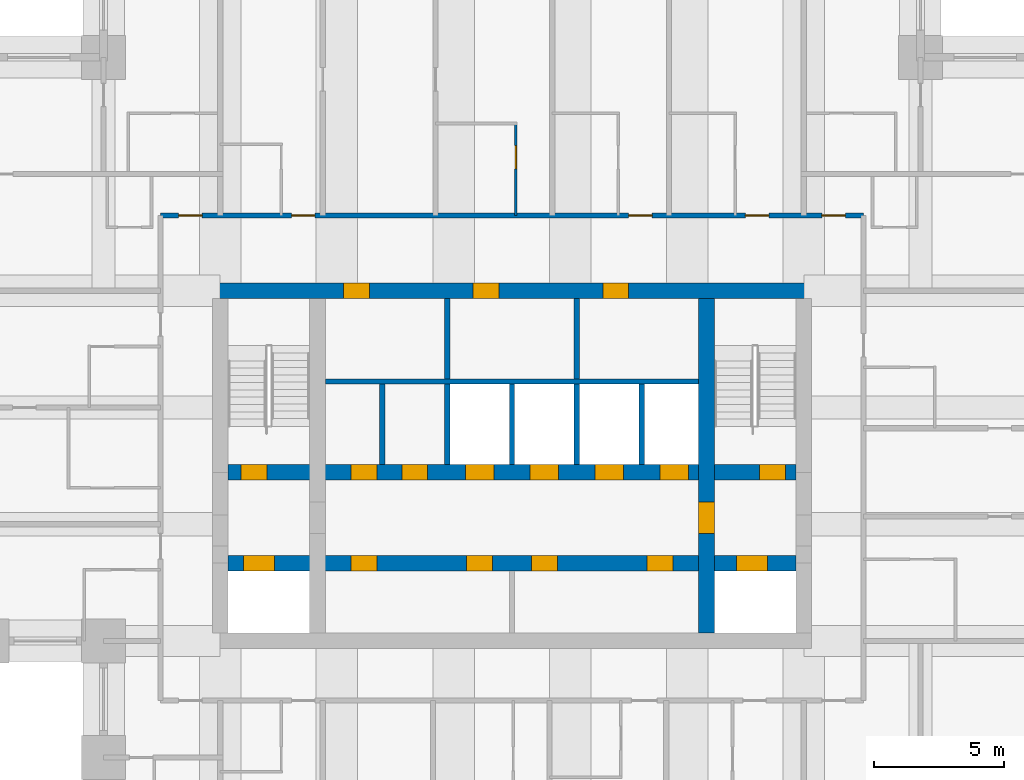
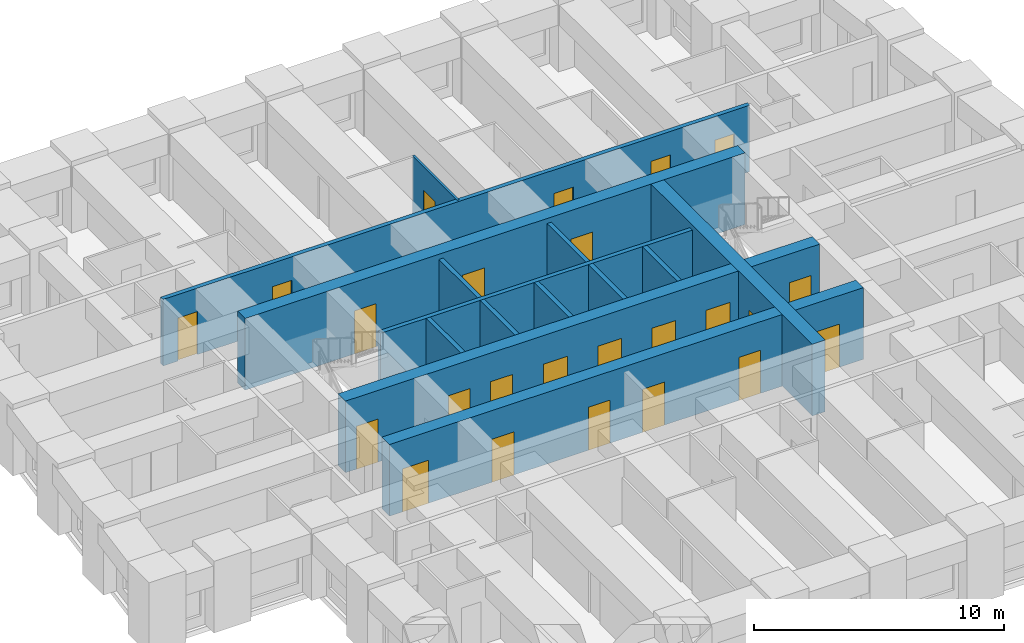
# One storey, part 4 of 8: 24 doors, 14 walls, 24 openings.
"""IFC4 building model written with IfcOpenShell, lengths in metres."""

import ifcopenshell
import ifcopenshell.guid

model = None  # the IFC model being written
_history = None  # IfcOwnerHistory: only IFC2X3 demands one
_inside = {}  # id of a spatial element -> (the spatial element, [elements in it])
_under = {}  # id of a project, library or spatial element -> (it, [spatial elements below it])
_declared = {}  # id of a project -> (the project, [libraries it declares])
_typed = {}  # id of a type object -> (the type object, [elements of that type])
_made_of = {}  # id of a material, layer set ... -> (it, [elements and type objects made of it])


def new_model(schema):
    """Start an empty IFC model of exactly this schema.

    Asked for "IFC4X3", IfcOpenShell would pick the latest addendum, in which some entities
    have other attributes; the version numbers below select the first issue.
    IFC2X3 requires an IfcOwnerHistory on every rooted entity: one is made here for all.
    """
    global model, _history
    if schema == "IFC4X3":
        model = ifcopenshell.file(schema_version=(4, 3, 0, 0))
    else:
        model = ifcopenshell.file(schema=schema)
    _inside.clear()
    _under.clear()
    _declared.clear()
    _typed.clear()
    _made_of.clear()
    _history = None
    if model.schema == "IFC2X3":
        org = make("IfcOrganization", Name="unknown")
        user = make(
            "IfcPersonAndOrganization",
            ThePerson=make("IfcPerson", FamilyName="unknown"),
            TheOrganization=org,
        )
        app = make(
            "IfcApplication",
            ApplicationDeveloper=org,
            Version="unknown",
            ApplicationFullName="unknown",
            ApplicationIdentifier="unknown",
        )
        _history = make(
            "IfcOwnerHistory",
            OwningUser=user,
            OwningApplication=app,
            ChangeAction="ADDED",
            CreationDate=0,
        )
    return model


def make(cls, **values):
    """One entity of the class cls with the attributes given. An attribute that is None is left unset."""
    return model.create_entity(
        cls, **{name: value for name, value in values.items() if value is not None}
    )


def rooted(cls, **values):
    """An entity with a GlobalId (a new one), such as an element, a storey or a relation."""
    return make(cls, GlobalId=ifcopenshell.guid.new(), OwnerHistory=_history, **values)


def si_unit(unit_type, name, prefix=None):
    """IfcSIUnit, for example si_unit("LENGTHUNIT", "METRE", prefix="MILLI")."""
    return make("IfcSIUnit", UnitType=unit_type, Prefix=prefix, Name=name)


def assignment(units):
    """IfcUnitAssignment: the units of a project."""
    return None if units is None else make("IfcUnitAssignment", Units=units)


def point(xyz):
    """IfcCartesianPoint."""
    return None if xyz is None else make("IfcCartesianPoint", Coordinates=xyz)


def direction(xyz):
    """IfcDirection."""
    return None if xyz is None else make("IfcDirection", DirectionRatios=xyz)


def frame(location, z_axis=None, x_axis=None):
    """IfcAxis2Placement3D, a coordinate frame: its origin and axes. An axis left out is left unset."""
    return make(
        "IfcAxis2Placement3D",
        Location=point(location),
        Axis=direction(z_axis),
        RefDirection=direction(x_axis),
    )


def frame_2d(location, x_axis=None):
    """IfcAxis2Placement2D, a coordinate frame in the plane: its origin and x axis."""
    return make(
        "IfcAxis2Placement2D", Location=point(location), RefDirection=direction(x_axis)
    )


def origin():
    """The frame at (0, 0, 0) with its axes left unset."""
    return frame((0.0, 0.0, 0.0))


def place(relative_to, where):
    """IfcLocalPlacement: puts the frame where relative to a parent placement (None: the world)."""
    return make(
        "IfcLocalPlacement", PlacementRelTo=relative_to, RelativePlacement=where
    )


def context(
    kind, dimensions, precision=None, world=None, true_north=None, identifier=None
):
    """IfcGeometricRepresentationContext, for example the 3D "Model" context."""
    return make(
        "IfcGeometricRepresentationContext",
        ContextIdentifier=identifier,
        ContextType=kind,
        CoordinateSpaceDimension=dimensions,
        Precision=precision,
        WorldCoordinateSystem=world,
        TrueNorth=true_north,
    )


def subcontext(parent, identifier, kind, view, scale=None):
    """IfcGeometricRepresentationSubContext, for example "Body" below "Model"."""
    return make(
        "IfcGeometricRepresentationSubContext",
        ContextIdentifier=identifier,
        ContextType=kind,
        ParentContext=parent,
        TargetScale=scale,
        TargetView=view,
    )


def project(units=None, contexts=None):
    """IfcProject with its units and contexts."""
    return rooted(
        "IfcProject",
        Name="project",
        RepresentationContexts=contexts,
        UnitsInContext=assignment(units),
    )


def spatial(cls, under=None, at=None, **own):
    """A site, building, storey or space (cls), placed at a placement, below another one or the project."""
    s = rooted(cls, ObjectPlacement=at, **own)
    if under is not None:
        _under.setdefault(under.id(), (under, []))[1].append(s)
    return s


def profile(cls, at=None, kind="AREA", **sizes):
    """A parametric profile (cls). Its sizes go by their IFC names, for example OverallWidth=200.0."""
    return make(cls, ProfileType=kind, Position=at, **sizes)


def rectangle(**sizes):
    """IfcRectangleProfileDef."""
    return profile("IfcRectangleProfileDef", **sizes)


def extrude(swept, where, along, depth):
    """IfcExtrudedAreaSolid: the profile swept, set in the frame where, extruded along a direction by depth."""
    return make(
        "IfcExtrudedAreaSolid",
        SweptArea=swept,
        Position=where,
        ExtrudedDirection=direction(along),
        Depth=depth,
    )


def shape(context_of_items, identifier, shape_type, items):
    """IfcShapeRepresentation: the items that make up one representation, for example the "Body"."""
    return make(
        "IfcShapeRepresentation",
        ContextOfItems=context_of_items,
        RepresentationIdentifier=identifier,
        RepresentationType=shape_type,
        Items=items,
    )


def material(Name=None, Category=None):
    """IfcMaterial."""
    return make("IfcMaterial", Name=Name, Category=Category)


def layer(
    of_material, thickness, ventilated=None, Name=None, Category=None, Priority=None
):
    """IfcMaterialLayer: one layer of a wall or slab, of a material (None: an air gap)."""
    return make(
        "IfcMaterialLayer",
        Material=of_material,
        LayerThickness=thickness,
        IsVentilated=ventilated,
        Name=Name,
        Category=Category,
        Priority=Priority,
    )


def layer_set(layers, Name=None):
    """IfcMaterialLayerSet."""
    return make("IfcMaterialLayerSet", MaterialLayers=layers, LayerSetName=Name)


def made_of(thing, what):
    """Note that an element or type object is made of a material, layer set ...; save() writes the relation."""
    if what is not None:
        _made_of.setdefault(what.id(), (what, []))[1].append(thing)
    return thing


def type_object(cls, material=None, **own):
    """A type object (cls), such as IfcWallType, which elements share."""
    return made_of(rooted(cls, **own), material)


def element(
    cls,
    number,
    at=None,
    inside=None,
    cuts=None,
    type_object=None,
    material=None,
    context=None,
    identifier="Body",
    shape_type=None,
    held_by="IfcProductDefinitionShape",
    body=None,
    shapes=None,
    **own,
):
    """One element of the class cls, such as IfcWall. Its Tag is "e" and its number.

    at: its placement. inside: the storey or other place that contains it. cuts: it is an
    opening in that element (IfcRelVoidsElement). A single representation is given by context,
    identifier, shape_type and body (its items); several are given by shapes. held_by: the class
    of the entity that holds the representations. save() writes the other relations.
    """
    e = rooted(cls, Tag="e%d" % number, ObjectPlacement=at, **own)
    if body is not None:
        shapes = [shape(context, identifier, shape_type, body)]
    if shapes is not None:
        e.Representation = make(held_by, Representations=shapes)
    if inside is not None:
        _inside.setdefault(inside.id(), (inside, []))[1].append(e)
    if cuts is not None:
        rooted(
            "IfcRelVoidsElement", RelatingBuildingElement=cuts, RelatedOpeningElement=e
        )
    if type_object is not None:
        _typed.setdefault(type_object.id(), (type_object, []))[1].append(e)
    return made_of(e, material)


def fill(opening, filler):
    """IfcRelFillsElement: the door or window that sits in an opening."""
    return rooted(
        "IfcRelFillsElement",
        RelatingOpeningElement=opening,
        RelatedBuildingElement=filler,
    )


def aggregate(whole, parts):
    """IfcRelAggregates: a whole, such as a stair, and the parts it consists of."""
    return rooted("IfcRelAggregates", RelatingObject=whole, RelatedObjects=parts)


def save(model, path):
    """Write the relations noted so far, then the file.

    IfcRelAggregates (storeys below a building ...), IfcRelContainedInSpatialStructure (elements
    in a storey), IfcRelDefinesByType, IfcRelAssociatesMaterial and IfcRelDeclares: one each for
    every whole, place, type object, material and project.
    """
    for whole, parts in _under.values():
        aggregate(whole, parts)
    for where, things in _inside.values():
        rooted(
            "IfcRelContainedInSpatialStructure",
            RelatedElements=things,
            RelatingStructure=where,
        )
    for kind, things in _typed.values():
        rooted("IfcRelDefinesByType", RelatedObjects=things, RelatingType=kind)
    for what, things in _made_of.values():
        rooted("IfcRelAssociatesMaterial", RelatedObjects=things, RelatingMaterial=what)
    for by, libraries in _declared.values():
        rooted("IfcRelDeclares", RelatingContext=by, RelatedDefinitions=libraries)
    model.write(path)


model = new_model("IFC4")

# Units and contexts
model_context = context("Model", 3, precision=1e-05, world=origin(), true_north=direction((0.0, 1.0)))
body_context = subcontext(model_context, "Body", "Model", "MODEL_VIEW")
ifc_project = project(units=[si_unit("LENGTHUNIT", "METRE"), si_unit("AREAUNIT", "SQUARE_METRE"), si_unit("VOLUMEUNIT", "CUBIC_METRE"), si_unit("PLANEANGLEUNIT", "RADIAN"), si_unit("MASSUNIT", "GRAM", prefix="KILO")], contexts=[model_context])

# Site, building, storey
site_placement = place(None, origin())
site = spatial("IfcSite", under=ifc_project, at=site_placement, CompositionType="ELEMENT")
building_placement = place(site_placement, origin())
building = spatial("IfcBuilding", under=site, at=building_placement, Name="Kilele Tower Hotel", CompositionType="ELEMENT")
storey_placement = place(building_placement, frame((0.0, 0.0, 172.89990234375)))
storey = spatial("IfcBuildingStorey", under=building, at=storey_placement, Name="L44", CompositionType="ELEMENT", Elevation=172.89990234375)

# Wall, opening, door
ifc_material_1 = material(Name="Moisture-resistant board")
ifc_layer_1 = layer(ifc_material_1, 0.10009765625)
ifc_layer_set_1 = layer_set([ifc_layer_1], Name="Moisture-resistant board")
wall_type_1 = type_object("IfcWallType", Name="Bathroom partition 100", PredefinedType="PLUMBINGWALL", material=ifc_layer_set_1)
wall_1_placement = place(storey_placement, frame((24.89990234375, 29.89990234375, 0.0), z_axis=(0.0, 0.0, 1.0), x_axis=(0.0, 1.0, 0.0)))
wall_1 = element("IfcWall", 1, at=wall_1_placement, inside=storey, type_object=wall_type_1, Name="Bathroom partition 100 L44", PredefinedType="PLUMBINGWALL", context=body_context, shape_type="SweptSolid", body=[
    extrude(rectangle(XDim=3.60009765625, YDim=0.10009765625, at=frame_2d((1.800048828125, 0.0))), origin(), (0.0, 0.0, 1.0), 3.25),
])
opening_1_placement = place(wall_1_placement, frame((2.699951171875, 0.0, 0.0), z_axis=(0.0, 0.0, 1.0), x_axis=(-1.0, 0.0, 0.0)))
opening_1 = element("IfcOpeningElement", 2, at=opening_1_placement, cuts=wall_1, Name="Opening D2A", PredefinedType="OPENING", context=body_context, shape_type="SweptSolid", body=[
    extrude(rectangle(XDim=0.89990234375, YDim=2.10009765625, at=frame_2d((0.449951171875, 1.050048828125))), frame((0.0, 0.06005859375, 0.0), z_axis=(0.0, -1.0, 0.0), x_axis=(1.0, 0.0, 0.0)), (0.0, 0.0, 1.0), 0.1201171875),
])
ifc_material_2 = material(Name="Timber door leaf in hardwood frame", Category="wood")
door_type_1 = type_object("IfcDoorType", Name="Bathroom door 900", OperationType="SINGLE_SWING_LEFT", PredefinedType="DOOR", material=ifc_material_2)
door_1_placement = place(opening_1_placement, origin())
door_1 = element("IfcDoor", 3, at=door_1_placement, inside=storey, type_object=door_type_1, Name="Bathroom door 4411B", OperationType="SINGLE_SWING_LEFT", OverallHeight=2.10009765625, OverallWidth=0.89990234375, PredefinedType="DOOR", context=body_context, shape_type="SweptSolid", body=[
    extrude(rectangle(XDim=0.89990234375, YDim=2.10009765625, at=frame_2d((0.449951171875, 1.050048828125))), frame((0.0, 0.02490234375, 0.0), z_axis=(0.0, -1.0, 0.0), x_axis=(1.0, 0.0, 0.0)), (0.0, 0.0, 1.0), 0.050048828125),
])
fill(opening_1, door_1)

# Wall, openings, doors
ifc_material_3 = material(Name="Concrete C70/85", Category="concrete")
ifc_layer_2 = layer(ifc_material_3, 0.60009765625)
ifc_layer_set_2 = layer_set([ifc_layer_2], Name="Concrete C70/85")
wall_type_2 = type_object("IfcWallType", Name="Core wall 600 C70/85", PredefinedType="SHEAR", material=ifc_layer_set_2)
wall_2_placement = place(storey_placement, frame((36.300048828125, 27.0, 0.0), z_axis=(0.0, 0.0, 1.0), x_axis=(-1.0, 0.0, 0.0)))
wall_2 = element("IfcWall", 4, at=wall_2_placement, inside=storey, type_object=wall_type_2, Name="Core wall N L44", PredefinedType="SHEAR", context=body_context, shape_type="SweptSolid", body=[
    extrude(rectangle(XDim=23.10009765625, YDim=0.60009765625, at=frame_2d((11.550048828125, 0.0))), origin(), (0.0, 0.0, 1.0), 3.5),
])
opening_2_placement = place(wall_2_placement, frame((17.050048828125, 0.0, 0.0)))
opening_2 = element("IfcOpeningElement", 5, at=opening_2_placement, cuts=wall_2, Name="Opening D6", PredefinedType="OPENING", context=body_context, shape_type="SweptSolid", body=[
    extrude(rectangle(XDim=1.0, YDim=2.10009765625, at=frame_2d((0.5, 1.050048828125))), frame((0.0, 0.31005859375, 0.0), z_axis=(0.0, -1.0, 0.0), x_axis=(1.0, 0.0, 0.0)), (0.0, 0.0, 1.0), 0.6201171875),
])
opening_3_placement = place(wall_2_placement, frame((12.050048828125, 0.0, 0.0)))
opening_3 = element("IfcOpeningElement", 6, at=opening_3_placement, cuts=wall_2, Name="Opening D6", PredefinedType="OPENING", context=body_context, shape_type="SweptSolid", body=[
    extrude(rectangle(XDim=1.0, YDim=2.10009765625, at=frame_2d((0.5, 1.050048828125))), frame((0.0, 0.31005859375, 0.0), z_axis=(0.0, -1.0, 0.0), x_axis=(1.0, 0.0, 0.0)), (0.0, 0.0, 1.0), 0.6201171875),
])
opening_4_placement = place(wall_2_placement, frame((7.050048828125, 0.0, 0.0)))
opening_4 = element("IfcOpeningElement", 7, at=opening_4_placement, cuts=wall_2, Name="Opening D6", PredefinedType="OPENING", context=body_context, shape_type="SweptSolid", body=[
    extrude(rectangle(XDim=1.0, YDim=2.10009765625, at=frame_2d((0.5, 1.050048828125))), frame((0.0, 0.31005859375, 0.0), z_axis=(0.0, -1.0, 0.0), x_axis=(1.0, 0.0, 0.0)), (0.0, 0.0, 1.0), 0.6201171875),
])
ifc_material_4 = material(Name="Timber door leaf in hardwood frame", Category="wood")
door_type_2 = type_object("IfcDoorType", Name="Riser door 1000", OperationType="SINGLE_SWING_LEFT", PredefinedType="DOOR", material=ifc_material_4)
door_2_placement = place(opening_2_placement, origin())
door_2 = element("IfcDoor", 8, at=door_2_placement, inside=storey, type_object=door_type_2, Name="Service riser door L44", OperationType="SINGLE_SWING_RIGHT", OverallHeight=2.10009765625, OverallWidth=1.0, PredefinedType="DOOR", context=body_context, shape_type="SweptSolid", body=[
    extrude(rectangle(XDim=1.0, YDim=2.10009765625, at=frame_2d((0.5, 1.050048828125))), frame((0.0, 0.2998046875, 0.0), z_axis=(0.0, -1.0, 0.0), x_axis=(1.0, 0.0, 0.0)), (0.0, 0.0, 1.0), 0.599609375),
])
fill(opening_2, door_2)
door_3_placement = place(opening_3_placement, origin())
door_3 = element("IfcDoor", 9, at=door_3_placement, inside=storey, type_object=door_type_2, Name="IT and comms room door L44", OperationType="SINGLE_SWING_RIGHT", OverallHeight=2.10009765625, OverallWidth=1.0, PredefinedType="DOOR", context=body_context, shape_type="SweptSolid", body=[
    extrude(rectangle(XDim=1.0, YDim=2.10009765625, at=frame_2d((0.5, 1.050048828125))), frame((0.0, 0.2998046875, 0.0), z_axis=(0.0, -1.0, 0.0), x_axis=(1.0, 0.0, 0.0)), (0.0, 0.0, 1.0), 0.599609375),
])
fill(opening_3, door_3)
door_4_placement = place(opening_4_placement, origin())
door_4 = element("IfcDoor", 10, at=door_4_placement, inside=storey, type_object=door_type_2, Name="Electrical riser door L44", OperationType="SINGLE_SWING_RIGHT", OverallHeight=2.10009765625, OverallWidth=1.0, PredefinedType="DOOR", context=body_context, shape_type="SweptSolid", body=[
    extrude(rectangle(XDim=1.0, YDim=2.10009765625, at=frame_2d((0.5, 1.050048828125))), frame((0.0, 0.2998046875, 0.0), z_axis=(0.0, -1.0, 0.0), x_axis=(1.0, 0.0, 0.0)), (0.0, 0.0, 1.0), 0.599609375),
])
fill(opening_4, door_4)

# Wall, opening, door
wall_3_placement = place(storey_placement, frame((32.25, 13.800048828125, 0.0), z_axis=(0.0, 0.0, 1.0), x_axis=(0.0, 1.0, 0.0)))
wall_3 = element("IfcWall", 11, at=wall_3_placement, inside=storey, type_object=wall_type_2, Name="Core wall IE L44", PredefinedType="SHEAR", context=body_context, shape_type="SweptSolid", body=[
    extrude(rectangle(XDim=12.89990234375, YDim=0.60009765625, at=frame_2d((6.449951171875, 0.0))), origin(), (0.0, 0.0, 1.0), 3.5),
])
opening_5_placement = place(wall_3_placement, frame((5.050048828125, 0.0, 0.0), z_axis=(0.0, 0.0, 1.0), x_axis=(-1.0, 0.0, 0.0)))
opening_5 = element("IfcOpeningElement", 12, at=opening_5_placement, cuts=wall_3, Name="Opening D4", PredefinedType="OPENING", context=body_context, shape_type="SweptSolid", body=[
    extrude(rectangle(XDim=1.199951171875, YDim=2.10009765625, at=frame_2d((0.60009765625, 1.050048828125))), frame((0.0, 0.31005859375, 0.0), z_axis=(0.0, -1.0, 0.0), x_axis=(1.0, 0.0, 0.0)), (0.0, 0.0, 1.0), 0.6201171875),
])
ifc_material_5 = material(Name="Timber door leaf in hardwood frame", Category="wood")
door_type_3 = type_object("IfcDoorType", Name="Firefighting lobby door 1200", OperationType="SINGLE_SWING_LEFT", PredefinedType="DOOR", material=ifc_material_5)
door_5_placement = place(opening_5_placement, origin())
door_5 = element("IfcDoor", 13, at=door_5_placement, inside=storey, type_object=door_type_3, Name="Lobby door L44", OperationType="SINGLE_SWING_RIGHT", OverallHeight=2.10009765625, OverallWidth=1.199951171875, PredefinedType="DOOR", context=body_context, shape_type="SweptSolid", body=[
    extrude(rectangle(XDim=1.199951171875, YDim=2.10009765625, at=frame_2d((0.60009765625, 1.050048828125))), frame((0.0, 0.2998046875, 0.0), z_axis=(0.0, -1.0, 0.0), x_axis=(1.0, 0.0, 0.0)), (0.0, 0.0, 1.0), 0.599609375),
])
fill(opening_5, door_5)

# Wall, openings, doors
wall_4_placement = place(storey_placement, frame((13.800048828125, 16.5, 0.0), z_axis=(0.0, 0.0, 1.0), x_axis=(1.0, 0.0, 0.0)))
wall_4 = element("IfcWall", 14, at=wall_4_placement, inside=storey, type_object=wall_type_2, Name="Core wall LS L44", PredefinedType="SHEAR", context=body_context, shape_type="SweptSolid", body=[
    extrude(rectangle(XDim=21.89990234375, YDim=0.60009765625, at=frame_2d((10.949951171875, 0.0))), origin(), (0.0, 0.0, 1.0), 3.5),
])
opening_6_placement = place(wall_4_placement, frame((5.75, 0.0, 0.0), z_axis=(0.0, 0.0, 1.0), x_axis=(-1.0, 0.0, 0.0)))
opening_6 = element("IfcOpeningElement", 15, at=opening_6_placement, cuts=wall_4, Name="Opening D11", PredefinedType="OPENING", context=body_context, shape_type="SweptSolid", body=[
    extrude(rectangle(XDim=1.0, YDim=2.10009765625, at=frame_2d((0.5, 1.050048828125))), frame((0.0, 0.31005859375, 0.0), z_axis=(0.0, -1.0, 0.0), x_axis=(1.0, 0.0, 0.0)), (0.0, 0.0, 1.0), 0.6201171875),
])
opening_7_placement = place(wall_4_placement, frame((10.199951171875, 0.0, 0.0), z_axis=(0.0, 0.0, 1.0), x_axis=(-1.0, 0.0, 0.0)))
opening_7 = element("IfcOpeningElement", 16, at=opening_7_placement, cuts=wall_4, Name="Opening D11", PredefinedType="OPENING", context=body_context, shape_type="SweptSolid", body=[
    extrude(rectangle(XDim=1.0, YDim=2.10009765625, at=frame_2d((0.5, 1.050048828125))), frame((0.0, 0.31005859375, 0.0), z_axis=(0.0, -1.0, 0.0), x_axis=(1.0, 0.0, 0.0)), (0.0, 0.0, 1.0), 0.6201171875),
])
opening_8_placement = place(wall_4_placement, frame((12.699951171875, 0.0, 0.0), z_axis=(0.0, 0.0, 1.0), x_axis=(-1.0, 0.0, 0.0)))
opening_8 = element("IfcOpeningElement", 17, at=opening_8_placement, cuts=wall_4, Name="Opening D11", PredefinedType="OPENING", context=body_context, shape_type="SweptSolid", body=[
    extrude(rectangle(XDim=1.0, YDim=2.10009765625, at=frame_2d((0.5, 1.050048828125))), frame((0.0, 0.31005859375, 0.0), z_axis=(0.0, -1.0, 0.0), x_axis=(1.0, 0.0, 0.0)), (0.0, 0.0, 1.0), 0.6201171875),
])
opening_9_placement = place(wall_4_placement, frame((17.14990234375, 0.0, 0.0), z_axis=(0.0, 0.0, 1.0), x_axis=(-1.0, 0.0, 0.0)))
opening_9 = element("IfcOpeningElement", 18, at=opening_9_placement, cuts=wall_4, Name="Opening D11", PredefinedType="OPENING", context=body_context, shape_type="SweptSolid", body=[
    extrude(rectangle(XDim=1.0, YDim=2.10009765625, at=frame_2d((0.5, 1.050048828125))), frame((0.0, 0.31005859375, 0.0), z_axis=(0.0, -1.0, 0.0), x_axis=(1.0, 0.0, 0.0)), (0.0, 0.0, 1.0), 0.6201171875),
])
opening_10_placement = place(wall_4_placement, frame((0.60009765625, 0.0, 0.0)))
opening_10 = element("IfcOpeningElement", 19, at=opening_10_placement, cuts=wall_4, Name="Opening LD2", PredefinedType="OPENING", context=body_context, shape_type="SweptSolid", body=[
    extrude(rectangle(XDim=1.199951171875, YDim=2.10009765625, at=frame_2d((0.60009765625, 1.050048828125))), frame((0.0, 0.31005859375, 0.0), z_axis=(0.0, -1.0, 0.0), x_axis=(1.0, 0.0, 0.0)), (0.0, 0.0, 1.0), 0.6201171875),
])
opening_11_placement = place(wall_4_placement, frame((19.60009765625, 0.0, 0.0)))
opening_11 = element("IfcOpeningElement", 20, at=opening_11_placement, cuts=wall_4, Name="Opening LD2", PredefinedType="OPENING", context=body_context, shape_type="SweptSolid", body=[
    extrude(rectangle(XDim=1.199951171875, YDim=2.10009765625, at=frame_2d((0.60009765625, 1.050048828125))), frame((0.0, 0.31005859375, 0.0), z_axis=(0.0, -1.0, 0.0), x_axis=(1.0, 0.0, 0.0)), (0.0, 0.0, 1.0), 0.6201171875),
])
ifc_material_6 = material(Name="Timber door leaf in hardwood frame", Category="wood")
door_type_4 = type_object("IfcDoorType", Name="Core store door 1000", OperationType="SINGLE_SWING_LEFT", PredefinedType="DOOR", material=ifc_material_6)
door_6_placement = place(opening_6_placement, origin())
door_6 = element("IfcDoor", 21, at=door_6_placement, inside=storey, type_object=door_type_4, Name="Core room door L1 L44", OperationType="SINGLE_SWING_RIGHT", OverallHeight=2.10009765625, OverallWidth=1.0, PredefinedType="DOOR", context=body_context, shape_type="SweptSolid", body=[
    extrude(rectangle(XDim=1.0, YDim=2.10009765625, at=frame_2d((0.5, 1.050048828125))), frame((0.0, 0.2998046875, 0.0), z_axis=(0.0, -1.0, 0.0), x_axis=(1.0, 0.0, 0.0)), (0.0, 0.0, 1.0), 0.599609375),
])
fill(opening_6, door_6)
door_7_placement = place(opening_7_placement, origin())
door_7 = element("IfcDoor", 22, at=door_7_placement, inside=storey, type_object=door_type_4, Name="Core room door L3 L44", OperationType="SINGLE_SWING_LEFT", OverallHeight=2.10009765625, OverallWidth=1.0, PredefinedType="DOOR", context=body_context, shape_type="SweptSolid", body=[
    extrude(rectangle(XDim=1.0, YDim=2.10009765625, at=frame_2d((0.5, 1.050048828125))), frame((0.0, 0.2998046875, 0.0), z_axis=(0.0, -1.0, 0.0), x_axis=(1.0, 0.0, 0.0)), (0.0, 0.0, 1.0), 0.599609375),
])
fill(opening_7, door_7)
door_8_placement = place(opening_8_placement, origin())
door_8 = element("IfcDoor", 23, at=door_8_placement, inside=storey, type_object=door_type_4, Name="Core room door M1 L44", OperationType="SINGLE_SWING_RIGHT", OverallHeight=2.10009765625, OverallWidth=1.0, PredefinedType="DOOR", context=body_context, shape_type="SweptSolid", body=[
    extrude(rectangle(XDim=1.0, YDim=2.10009765625, at=frame_2d((0.5, 1.050048828125))), frame((0.0, 0.2998046875, 0.0), z_axis=(0.0, -1.0, 0.0), x_axis=(1.0, 0.0, 0.0)), (0.0, 0.0, 1.0), 0.599609375),
])
fill(opening_8, door_8)
door_9_placement = place(opening_9_placement, origin())
door_9 = element("IfcDoor", 24, at=door_9_placement, inside=storey, type_object=door_type_4, Name="Core room door M3 L44", OperationType="SINGLE_SWING_LEFT", OverallHeight=2.10009765625, OverallWidth=1.0, PredefinedType="DOOR", context=body_context, shape_type="SweptSolid", body=[
    extrude(rectangle(XDim=1.0, YDim=2.10009765625, at=frame_2d((0.5, 1.050048828125))), frame((0.0, 0.2998046875, 0.0), z_axis=(0.0, -1.0, 0.0), x_axis=(1.0, 0.0, 0.0)), (0.0, 0.0, 1.0), 0.599609375),
])
fill(opening_9, door_9)
ifc_material_7 = material(Name="Steel lift landing door", Category="steel")
door_type_5 = type_object("IfcDoorType", Name="Firefighting lift landing door 1200", OperationType="SLIDING_TO_LEFT", PredefinedType="DOOR", material=ifc_material_7)
door_10_placement = place(opening_10_placement, origin())
door_10 = element("IfcDoor", 25, at=door_10_placement, inside=storey, type_object=door_type_5, Name="Landing door FFW L44", OperationType="SLIDING_TO_LEFT", OverallHeight=2.10009765625, OverallWidth=1.199951171875, PredefinedType="DOOR", context=body_context, shape_type="SweptSolid", body=[
    extrude(rectangle(XDim=1.199951171875, YDim=2.10009765625, at=frame_2d((0.60009765625, 1.050048828125))), frame((0.0, 0.2998046875, 0.0), z_axis=(0.0, -1.0, 0.0), x_axis=(1.0, 0.0, 0.0)), (0.0, 0.0, 1.0), 0.599609375),
])
fill(opening_10, door_10)
door_11_placement = place(opening_11_placement, origin())
door_11 = element("IfcDoor", 26, at=door_11_placement, inside=storey, type_object=door_type_5, Name="Landing door FFE L44", OperationType="SLIDING_TO_LEFT", OverallHeight=2.10009765625, OverallWidth=1.199951171875, PredefinedType="DOOR", context=body_context, shape_type="SweptSolid", body=[
    extrude(rectangle(XDim=1.199951171875, YDim=2.10009765625, at=frame_2d((0.60009765625, 1.050048828125))), frame((0.0, 0.2998046875, 0.0), z_axis=(0.0, -1.0, 0.0), x_axis=(1.0, 0.0, 0.0)), (0.0, 0.0, 1.0), 0.599609375),
])
fill(opening_11, door_11)

wall_5_placement = place(storey_placement, frame((13.800048828125, 20.0, 0.0), z_axis=(0.0, 0.0, 1.0), x_axis=(1.0, 0.0, 0.0)))
wall_5 = element("IfcWall", 27, at=wall_5_placement, inside=storey, type_object=wall_type_2, Name="Core wall LN L44", PredefinedType="SHEAR", context=body_context, shape_type="SweptSolid", body=[
    extrude(rectangle(XDim=21.89990234375, YDim=0.60009765625, at=frame_2d((10.949951171875, 0.0))), origin(), (0.0, 0.0, 1.0), 3.5),
])
opening_12_placement = place(wall_5_placement, frame((0.5, 0.0, 0.0)))
opening_12 = element("IfcOpeningElement", 28, at=opening_12_placement, cuts=wall_5, Name="Opening D5", PredefinedType="OPENING", context=body_context, shape_type="SweptSolid", body=[
    extrude(rectangle(XDim=1.0, YDim=2.10009765625, at=frame_2d((0.5, 1.050048828125))), frame((0.0, 0.31005859375, 0.0), z_axis=(0.0, -1.0, 0.0), x_axis=(1.0, 0.0, 0.0)), (0.0, 0.0, 1.0), 0.6201171875),
])
opening_13_placement = place(wall_5_placement, frame((20.5, 0.0, 0.0)))
opening_13 = element("IfcOpeningElement", 29, at=opening_13_placement, cuts=wall_5, Name="Opening D5", PredefinedType="OPENING", context=body_context, shape_type="SweptSolid", body=[
    extrude(rectangle(XDim=1.0, YDim=2.10009765625, at=frame_2d((0.5, 1.050048828125))), frame((0.0, 0.31005859375, 0.0), z_axis=(0.0, -1.0, 0.0), x_axis=(1.0, 0.0, 0.0)), (0.0, 0.0, 1.0), 0.6201171875),
])
opening_14_placement = place(wall_5_placement, frame((9.14990234375, 0.0, 0.0)))
opening_14 = element("IfcOpeningElement", 30, at=opening_14_placement, cuts=wall_5, Name="Opening LD1", PredefinedType="OPENING", context=body_context, shape_type="SweptSolid", body=[
    extrude(rectangle(XDim=1.10009765625, YDim=2.10009765625, at=frame_2d((0.550048828125, 1.050048828125))), frame((0.0, 0.31005859375, 0.0), z_axis=(0.0, -1.0, 0.0), x_axis=(1.0, 0.0, 0.0)), (0.0, 0.0, 1.0), 0.6201171875),
])
opening_15_placement = place(wall_5_placement, frame((11.64990234375, 0.0, 0.0)))
opening_15 = element("IfcOpeningElement", 31, at=opening_15_placement, cuts=wall_5, Name="Opening LD1", PredefinedType="OPENING", context=body_context, shape_type="SweptSolid", body=[
    extrude(rectangle(XDim=1.10009765625, YDim=2.10009765625, at=frame_2d((0.550048828125, 1.050048828125))), frame((0.0, 0.31005859375, 0.0), z_axis=(0.0, -1.0, 0.0), x_axis=(1.0, 0.0, 0.0)), (0.0, 0.0, 1.0), 0.6201171875),
])
opening_16_placement = place(wall_5_placement, frame((14.14990234375, 0.0, 0.0)))
opening_16 = element("IfcOpeningElement", 32, at=opening_16_placement, cuts=wall_5, Name="Opening LD1", PredefinedType="OPENING", context=body_context, shape_type="SweptSolid", body=[
    extrude(rectangle(XDim=1.10009765625, YDim=2.10009765625, at=frame_2d((0.550048828125, 1.050048828125))), frame((0.0, 0.31005859375, 0.0), z_axis=(0.0, -1.0, 0.0), x_axis=(1.0, 0.0, 0.0)), (0.0, 0.0, 1.0), 0.6201171875),
])
opening_17_placement = place(wall_5_placement, frame((16.64990234375, 0.0, 0.0)))
opening_17 = element("IfcOpeningElement", 33, at=opening_17_placement, cuts=wall_5, Name="Opening LD1", PredefinedType="OPENING", context=body_context, shape_type="SweptSolid", body=[
    extrude(rectangle(XDim=1.10009765625, YDim=2.10009765625, at=frame_2d((0.550048828125, 1.050048828125))), frame((0.0, 0.31005859375, 0.0), z_axis=(0.0, -1.0, 0.0), x_axis=(1.0, 0.0, 0.0)), (0.0, 0.0, 1.0), 0.6201171875),
])
opening_18_placement = place(wall_5_placement, frame((4.75, 0.0, 0.0)))
opening_18 = element("IfcOpeningElement", 34, at=opening_18_placement, cuts=wall_5, Name="Opening D11", PredefinedType="OPENING", context=body_context, shape_type="SweptSolid", body=[
    extrude(rectangle(XDim=1.0, YDim=2.10009765625, at=frame_2d((0.5, 1.050048828125))), frame((0.0, 0.31005859375, 0.0), z_axis=(0.0, -1.0, 0.0), x_axis=(1.0, 0.0, 0.0)), (0.0, 0.0, 1.0), 0.6201171875),
])
opening_19_placement = place(wall_5_placement, frame((6.699951171875, 0.0, 0.0)))
opening_19 = element("IfcOpeningElement", 35, at=opening_19_placement, cuts=wall_5, Name="Opening D11", PredefinedType="OPENING", context=body_context, shape_type="SweptSolid", body=[
    extrude(rectangle(XDim=1.0, YDim=2.10009765625, at=frame_2d((0.5, 1.050048828125))), frame((0.0, 0.31005859375, 0.0), z_axis=(0.0, -1.0, 0.0), x_axis=(1.0, 0.0, 0.0)), (0.0, 0.0, 1.0), 0.6201171875),
])
door_12_placement = place(opening_18_placement, origin())
door_12 = element("IfcDoor", 36, at=door_12_placement, inside=storey, type_object=door_type_4, Name="Core room door S1 L44", OperationType="SINGLE_SWING_RIGHT", OverallHeight=2.10009765625, OverallWidth=1.0, PredefinedType="DOOR", context=body_context, shape_type="SweptSolid", body=[
    extrude(rectangle(XDim=1.0, YDim=2.10009765625, at=frame_2d((0.5, 1.050048828125))), frame((0.0, 0.2998046875, 0.0), z_axis=(0.0, -1.0, 0.0), x_axis=(1.0, 0.0, 0.0)), (0.0, 0.0, 1.0), 0.599609375),
])
fill(opening_18, door_12)
door_13_placement = place(opening_19_placement, origin())
door_13 = element("IfcDoor", 37, at=door_13_placement, inside=storey, type_object=door_type_4, Name="Core room door S2 L44", OperationType="SINGLE_SWING_LEFT", OverallHeight=2.10009765625, OverallWidth=1.0, PredefinedType="DOOR", context=body_context, shape_type="SweptSolid", body=[
    extrude(rectangle(XDim=1.0, YDim=2.10009765625, at=frame_2d((0.5, 1.050048828125))), frame((0.0, 0.2998046875, 0.0), z_axis=(0.0, -1.0, 0.0), x_axis=(1.0, 0.0, 0.0)), (0.0, 0.0, 1.0), 0.599609375),
])
fill(opening_19, door_13)
ifc_material_8 = material(Name="Steel lift landing door", Category="steel")
door_type_6 = type_object("IfcDoorType", Name="Lift landing door 1100", OperationType="SLIDING_TO_LEFT", PredefinedType="DOOR", material=ifc_material_8)
door_14_placement = place(opening_14_placement, origin())
door_14 = element("IfcDoor", 38, at=door_14_placement, inside=storey, type_object=door_type_6, Name="Landing door H1 L44", OperationType="SLIDING_TO_LEFT", OverallHeight=2.10009765625, OverallWidth=1.10009765625, PredefinedType="DOOR", context=body_context, shape_type="SweptSolid", body=[
    extrude(rectangle(XDim=1.10009765625, YDim=2.10009765625, at=frame_2d((0.550048828125, 1.050048828125))), frame((0.0, 0.2998046875, 0.0), z_axis=(0.0, -1.0, 0.0), x_axis=(1.0, 0.0, 0.0)), (0.0, 0.0, 1.0), 0.599609375),
])
fill(opening_14, door_14)
door_15_placement = place(opening_15_placement, origin())
door_15 = element("IfcDoor", 39, at=door_15_placement, inside=storey, type_object=door_type_6, Name="Landing door H2 L44", OperationType="SLIDING_TO_LEFT", OverallHeight=2.10009765625, OverallWidth=1.10009765625, PredefinedType="DOOR", context=body_context, shape_type="SweptSolid", body=[
    extrude(rectangle(XDim=1.10009765625, YDim=2.10009765625, at=frame_2d((0.550048828125, 1.050048828125))), frame((0.0, 0.2998046875, 0.0), z_axis=(0.0, -1.0, 0.0), x_axis=(1.0, 0.0, 0.0)), (0.0, 0.0, 1.0), 0.599609375),
])
fill(opening_15, door_15)
door_16_placement = place(opening_16_placement, origin())
door_16 = element("IfcDoor", 40, at=door_16_placement, inside=storey, type_object=door_type_6, Name="Landing door H3 L44", OperationType="SLIDING_TO_LEFT", OverallHeight=2.10009765625, OverallWidth=1.10009765625, PredefinedType="DOOR", context=body_context, shape_type="SweptSolid", body=[
    extrude(rectangle(XDim=1.10009765625, YDim=2.10009765625, at=frame_2d((0.550048828125, 1.050048828125))), frame((0.0, 0.2998046875, 0.0), z_axis=(0.0, -1.0, 0.0), x_axis=(1.0, 0.0, 0.0)), (0.0, 0.0, 1.0), 0.599609375),
])
fill(opening_16, door_16)
door_17_placement = place(opening_17_placement, origin())
door_17 = element("IfcDoor", 41, at=door_17_placement, inside=storey, type_object=door_type_6, Name="Landing door G1 L44", OperationType="SLIDING_TO_LEFT", OverallHeight=2.10009765625, OverallWidth=1.10009765625, PredefinedType="DOOR", context=body_context, shape_type="SweptSolid", body=[
    extrude(rectangle(XDim=1.10009765625, YDim=2.10009765625, at=frame_2d((0.550048828125, 1.050048828125))), frame((0.0, 0.2998046875, 0.0), z_axis=(0.0, -1.0, 0.0), x_axis=(1.0, 0.0, 0.0)), (0.0, 0.0, 1.0), 0.599609375),
])
fill(opening_17, door_17)
ifc_material_9 = material(Name="Timber door leaf in hardwood frame", Category="wood")
door_type_7 = type_object("IfcDoorType", Name="Stair door 1000", OperationType="SINGLE_SWING_LEFT", PredefinedType="DOOR", material=ifc_material_9)
door_18_placement = place(opening_12_placement, origin())
door_18 = element("IfcDoor", 42, at=door_18_placement, inside=storey, type_object=door_type_7, Name="Stair 1 door L44", OperationType="SINGLE_SWING_LEFT", OverallHeight=2.10009765625, OverallWidth=1.0, PredefinedType="DOOR", context=body_context, shape_type="SweptSolid", body=[
    extrude(rectangle(XDim=1.0, YDim=2.10009765625, at=frame_2d((0.5, 1.050048828125))), frame((0.0, 0.2998046875, 0.0), z_axis=(0.0, -1.0, 0.0), x_axis=(1.0, 0.0, 0.0)), (0.0, 0.0, 1.0), 0.599609375),
])
fill(opening_12, door_18)
door_19_placement = place(opening_13_placement, origin())
door_19 = element("IfcDoor", 43, at=door_19_placement, inside=storey, type_object=door_type_7, Name="Stair 2 door L44", OperationType="SINGLE_SWING_RIGHT", OverallHeight=2.10009765625, OverallWidth=1.0, PredefinedType="DOOR", context=body_context, shape_type="SweptSolid", body=[
    extrude(rectangle(XDim=1.0, YDim=2.10009765625, at=frame_2d((0.5, 1.050048828125))), frame((0.0, 0.2998046875, 0.0), z_axis=(0.0, -1.0, 0.0), x_axis=(1.0, 0.0, 0.0)), (0.0, 0.0, 1.0), 0.599609375),
])
fill(opening_13, door_19)

ifc_material_10 = material(Name="Blockwork, plastered both sides", Category="masonry")
ifc_layer_3 = layer(ifc_material_10, 0.199951171875)
ifc_layer_set_3 = layer_set([ifc_layer_3], Name="Blockwork, plastered both sides")
wall_type_3 = type_object("IfcWallType", Name="Corridor wall 200", PredefinedType="PARTITIONING", material=ifc_layer_set_3)
wall_6_placement = place(storey_placement, frame((11.199951171875, 29.89990234375, 0.0), z_axis=(0.0, 0.0, 1.0), x_axis=(1.0, 0.0, 0.0)))
wall_6 = element("IfcWall", 44, at=wall_6_placement, inside=storey, type_object=wall_type_3, Name="Corridor wall 200 L44", PredefinedType="PARTITIONING", context=body_context, shape_type="SweptSolid", body=[
    extrude(rectangle(XDim=27.10009765625, YDim=0.199951171875, at=frame_2d((13.550048828125, 0.0))), origin(), (0.0, 0.0, 1.0), 3.25),
])
opening_20_placement = place(wall_6_placement, frame((5.050048828125, 0.0, 0.0)))
opening_20 = element("IfcOpeningElement", 45, at=opening_20_placement, cuts=wall_6, Name="Opening D1", PredefinedType="OPENING", context=body_context, shape_type="SweptSolid", body=[
    extrude(rectangle(XDim=0.89990234375, YDim=2.10009765625, at=frame_2d((0.449951171875, 1.050048828125))), frame((0.0, 0.10986328125, 0.0), z_axis=(0.0, -1.0, 0.0), x_axis=(1.0, 0.0, 0.0)), (0.0, 0.0, 1.0), 0.219970703125),
])
opening_21_placement = place(wall_6_placement, frame((18.050048828125, 0.0, 0.0)))
opening_21 = element("IfcOpeningElement", 46, at=opening_21_placement, cuts=wall_6, Name="Opening D1", PredefinedType="OPENING", context=body_context, shape_type="SweptSolid", body=[
    extrude(rectangle(XDim=0.89990234375, YDim=2.10009765625, at=frame_2d((0.449951171875, 1.050048828125))), frame((0.0, 0.10986328125, 0.0), z_axis=(0.0, -1.0, 0.0), x_axis=(1.0, 0.0, 0.0)), (0.0, 0.0, 1.0), 0.219970703125),
])
opening_22_placement = place(wall_6_placement, frame((22.550048828125, 0.0, 0.0)))
opening_22 = element("IfcOpeningElement", 47, at=opening_22_placement, cuts=wall_6, Name="Opening D1", PredefinedType="OPENING", context=body_context, shape_type="SweptSolid", body=[
    extrude(rectangle(XDim=0.89990234375, YDim=2.10009765625, at=frame_2d((0.449951171875, 1.050048828125))), frame((0.0, 0.10986328125, 0.0), z_axis=(0.0, -1.0, 0.0), x_axis=(1.0, 0.0, 0.0)), (0.0, 0.0, 1.0), 0.219970703125),
])
opening_23_placement = place(wall_6_placement, frame((25.5, 0.0, 0.0)))
opening_23 = element("IfcOpeningElement", 48, at=opening_23_placement, cuts=wall_6, Name="Opening D1", PredefinedType="OPENING", context=body_context, shape_type="SweptSolid", body=[
    extrude(rectangle(XDim=0.89990234375, YDim=2.10009765625, at=frame_2d((0.449951171875, 1.050048828125))), frame((0.0, 0.10986328125, 0.0), z_axis=(0.0, -1.0, 0.0), x_axis=(1.0, 0.0, 0.0)), (0.0, 0.0, 1.0), 0.219970703125),
])
opening_24_placement = place(wall_6_placement, frame((0.699951171875, 0.0, 0.0)))
opening_24 = element("IfcOpeningElement", 49, at=opening_24_placement, cuts=wall_6, Name="Opening D1", PredefinedType="OPENING", context=body_context, shape_type="SweptSolid", body=[
    extrude(rectangle(XDim=0.89990234375, YDim=2.10009765625, at=frame_2d((0.449951171875, 1.050048828125))), frame((0.0, 0.10986328125, 0.0), z_axis=(0.0, -1.0, 0.0), x_axis=(1.0, 0.0, 0.0)), (0.0, 0.0, 1.0), 0.219970703125),
])
ifc_material_11 = material(Name="Timber door leaf in hardwood frame", Category="wood")
door_type_8 = type_object("IfcDoorType", Name="Guest room entrance door 900", OperationType="SINGLE_SWING_LEFT", PredefinedType="DOOR", material=ifc_material_11)
door_20_placement = place(opening_20_placement, origin())
door_20 = element("IfcDoor", 50, at=door_20_placement, inside=storey, type_object=door_type_8, Name="Room entrance 4409", OperationType="SINGLE_SWING_RIGHT", OverallHeight=2.10009765625, OverallWidth=0.89990234375, PredefinedType="DOOR", context=body_context, shape_type="SweptSolid", body=[
    extrude(rectangle(XDim=0.89990234375, YDim=2.10009765625, at=frame_2d((0.449951171875, 1.050048828125))), frame((0.0, 0.02490234375, 0.0), z_axis=(0.0, -1.0, 0.0), x_axis=(1.0, 0.0, 0.0)), (0.0, 0.0, 1.0), 0.050048828125),
])
fill(opening_20, door_20)
door_21_placement = place(opening_21_placement, origin())
door_21 = element("IfcDoor", 51, at=door_21_placement, inside=storey, type_object=door_type_8, Name="Room entrance 4412", OperationType="SINGLE_SWING_LEFT", OverallHeight=2.10009765625, OverallWidth=0.89990234375, PredefinedType="DOOR", context=body_context, shape_type="SweptSolid", body=[
    extrude(rectangle(XDim=0.89990234375, YDim=2.10009765625, at=frame_2d((0.449951171875, 1.050048828125))), frame((0.0, 0.02490234375, 0.0), z_axis=(0.0, -1.0, 0.0), x_axis=(1.0, 0.0, 0.0)), (0.0, 0.0, 1.0), 0.050048828125),
])
fill(opening_21, door_21)
door_22_placement = place(opening_22_placement, origin())
door_22 = element("IfcDoor", 52, at=door_22_placement, inside=storey, type_object=door_type_8, Name="Room entrance 4413", OperationType="SINGLE_SWING_LEFT", OverallHeight=2.10009765625, OverallWidth=0.89990234375, PredefinedType="DOOR", context=body_context, shape_type="SweptSolid", body=[
    extrude(rectangle(XDim=0.89990234375, YDim=2.10009765625, at=frame_2d((0.449951171875, 1.050048828125))), frame((0.0, 0.02490234375, 0.0), z_axis=(0.0, -1.0, 0.0), x_axis=(1.0, 0.0, 0.0)), (0.0, 0.0, 1.0), 0.050048828125),
])
fill(opening_22, door_22)
door_23_placement = place(opening_23_placement, origin())
door_23 = element("IfcDoor", 53, at=door_23_placement, inside=storey, type_object=door_type_8, Name="Room entrance 4422", OperationType="SINGLE_SWING_LEFT", OverallHeight=2.10009765625, OverallWidth=0.89990234375, PredefinedType="DOOR", context=body_context, shape_type="SweptSolid", body=[
    extrude(rectangle(XDim=0.89990234375, YDim=2.10009765625, at=frame_2d((0.449951171875, 1.050048828125))), frame((0.0, 0.02490234375, 0.0), z_axis=(0.0, -1.0, 0.0), x_axis=(1.0, 0.0, 0.0)), (0.0, 0.0, 1.0), 0.050048828125),
])
fill(opening_23, door_23)
door_24_placement = place(opening_24_placement, origin())
door_24 = element("IfcDoor", 54, at=door_24_placement, inside=storey, type_object=door_type_8, Name="Room entrance 4425", OperationType="SINGLE_SWING_RIGHT", OverallHeight=2.10009765625, OverallWidth=0.89990234375, PredefinedType="DOOR", context=body_context, shape_type="SweptSolid", body=[
    extrude(rectangle(XDim=0.89990234375, YDim=2.10009765625, at=frame_2d((0.449951171875, 1.050048828125))), frame((0.0, 0.02490234375, 0.0), z_axis=(0.0, -1.0, 0.0), x_axis=(1.0, 0.0, 0.0)), (0.0, 0.0, 1.0), 0.050048828125),
])
fill(opening_24, door_24)

# Walls
ifc_material_12 = material(Name="Blockwork, fire-rated", Category="masonry")
ifc_layer_4 = layer(ifc_material_12, 0.199951171875)
ifc_layer_set_4 = layer_set([ifc_layer_4], Name="Blockwork, fire-rated")
wall_type_4 = type_object("IfcWallType", Name="Shaft wall 200", PredefinedType="PARTITIONING", material=ifc_layer_set_4)
for number, where, z_axis, x_axis, name in (
    (55, (19.75, 20.300048828125, 0.0), (0.0, 0.0, 1.0), (0.0, 1.0, 0.0), "Shaft wall 200 L44"),
    (56, (22.25, 20.300048828125, 0.0), (0.0, 0.0, 1.0), (0.0, 1.0, 0.0), "Shaft wall 200 L44"),
    (57, (24.75, 20.300048828125, 0.0), (0.0, 0.0, 1.0), (0.0, 1.0, 0.0), "Shaft wall 200 L44"),
    (58, (27.25, 20.300048828125, 0.0), (0.0, 0.0, 1.0), (0.0, 1.0, 0.0), "Shaft wall 200 L44"),
    (59, (29.75, 20.300048828125, 0.0), (0.0, 0.0, 1.0), (0.0, 1.0, 0.0), "Shaft wall 200 L44"),
):
    element("IfcWall", number, at=place(storey_placement, frame(where, z_axis=z_axis, x_axis=x_axis)), inside=storey, type_object=wall_type_4, Name=name, PredefinedType="PARTITIONING", context=body_context, shape_type="SweptSolid", body=[
        extrude(rectangle(XDim=3.099853515625, YDim=0.199951171875, at=frame_2d((1.5498046875, 0.0))), origin(), (0.0, 0.0, 1.0), 3.25),
    ])
wall_7_placement = place(storey_placement, frame((17.550048828125, 23.5, 0.0), z_axis=(0.0, 0.0, 1.0), x_axis=(1.0, 0.0, 0.0)))
element("IfcWall", 60, at=wall_7_placement, inside=storey, type_object=wall_type_4, Name="Shaft wall 200 L44", PredefinedType="PARTITIONING", context=body_context, shape_type="SweptSolid", body=[
    extrude(rectangle(XDim=14.39990234375, YDim=0.199951171875, at=frame_2d((7.199951171875, 0.0))), origin(), (0.0, 0.0, 1.0), 3.25),
])
for number, where, z_axis, x_axis, name in (
    (61, (22.25, 23.60009765625, 0.0), (0.0, 0.0, 1.0), (0.0, 1.0, 0.0), "Shaft wall 200 L44"),
    (62, (27.25, 23.60009765625, 0.0), (0.0, 0.0, 1.0), (0.0, 1.0, 0.0), "Shaft wall 200 L44"),
):
    element("IfcWall", number, at=place(storey_placement, frame(where, z_axis=z_axis, x_axis=x_axis)), inside=storey, type_object=wall_type_4, Name=name, PredefinedType="PARTITIONING", context=body_context, shape_type="SweptSolid", body=[
        extrude(rectangle(XDim=3.099853515625, YDim=0.199951171875, at=frame_2d((1.5498046875, 0.0))), origin(), (0.0, 0.0, 1.0), 3.25),
    ])

save(model, "model.ifc")
